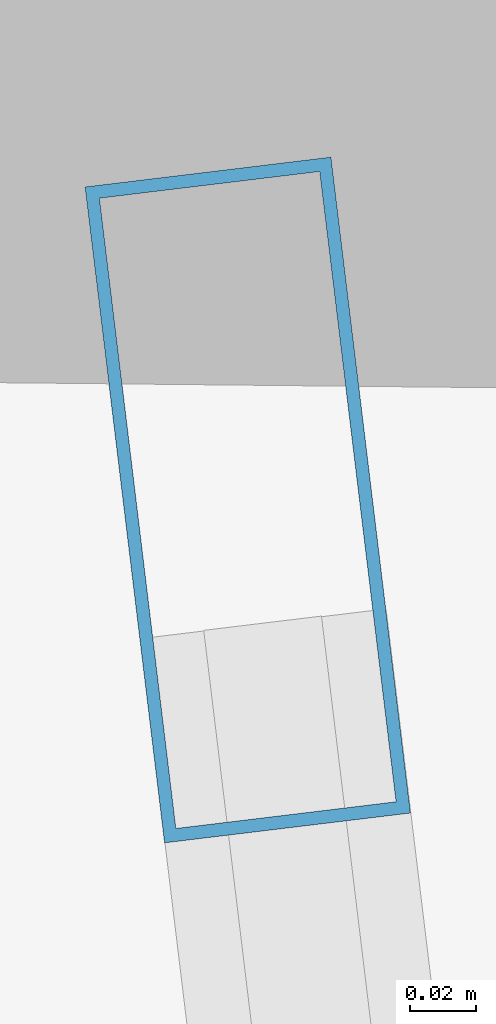
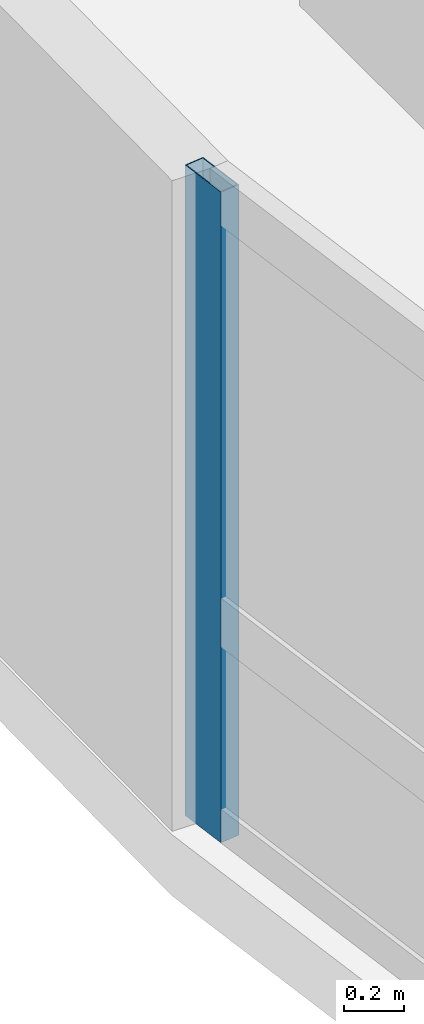
# One storey, part 8 of 22: 1 member, 1 element without a shape of its own.
"""IFC4 building model written with IfcOpenShell, lengths in metres."""

from ifc_helpers import new_model, si_unit, direction, frame, origin, origin_2d, place, context, subcontext, project, spatial, hollow_rectangle, extrude, material, layer, layer_set, material_profile, profile_set, type_object, element, aggregate, save


model = new_model("IFC4")

# Units and contexts
model_context = context("Model", 3, precision=1e-05, world=origin(), true_north=direction((0.0, 1.0)))
body_context = subcontext(model_context, "Body", "Model", "MODEL_VIEW")
ifc_project = project(units=[si_unit("LENGTHUNIT", "METRE"), si_unit("AREAUNIT", "SQUARE_METRE"), si_unit("VOLUMEUNIT", "CUBIC_METRE"), si_unit("PLANEANGLEUNIT", "RADIAN"), si_unit("MASSUNIT", "GRAM", prefix="KILO")], contexts=[model_context])

# Site, building, storey
site_placement = place(None, origin())
site = spatial("IfcSite", under=ifc_project, at=site_placement, CompositionType="ELEMENT")
building_placement = place(site_placement, origin())
building = spatial("IfcBuilding", under=site, at=building_placement, Name="Varnelok Gate Tower", CompositionType="ELEMENT")
storey_placement = place(building_placement, frame((0.0, 0.0, 204.199951171875)))
storey = spatial("IfcBuildingStorey", under=building, at=storey_placement, Name="L52", CompositionType="ELEMENT", Elevation=204.199951171875)

# Curtain wall, member
ifc_material = material(Name="Anodized Aluminum Alloy 6063-T6", Category="aluminium")
ifc_layer = layer(ifc_material, 0.179931640625)
ifc_layer_set = layer_set([ifc_layer], Name="Anodized Aluminum Alloy 6063-T6")
curtain_wall_type = type_object("IfcCurtainWallType", Name="CW4-RESIDENCE-VISION", PredefinedType="USERDEFINED", material=ifc_layer_set)
curtain_wall_placement = place(storey_placement, origin())
curtain_wall = element("IfcCurtainWall", 1, at=curtain_wall_placement, inside=storey, type_object=curtain_wall_type, Name="L52 West End Vision Curtain Wall", ObjectType="UNITISED CURTAIN WALL", PredefinedType="USERDEFINED")
ifc_material_profile = material_profile(ifc_material, hollow_rectangle(XDim=0.074951171875, YDim=0.199951171875, WallThickness=0.00390625, at=origin_2d()), Name="ALU200X75X4")
ifc_profile_set = profile_set([ifc_material_profile], Name="Anodized Aluminum Alloy 6063-T6")
member_type = type_object("IfcMemberType", Name="CW-MULL-200", PredefinedType="MULLION", material=ifc_profile_set)
member_placement = place(storey_placement, frame((2.290283203125, 37.610107421875, 0.0), z_axis=(0.0, 0.0, 1.0), x_axis=(-0.992732188751, -0.120344511371, 0.0)))
member = element("IfcMember", 2, at=member_placement, type_object=member_type, Name="CW4 mullion 6", PredefinedType="MULLION", context=body_context, shape_type="SweptSolid", body=[
    extrude(hollow_rectangle(XDim=0.074951171875, YDim=0.199951171875, WallThickness=0.00390625, at=origin_2d()), origin(), (0.0, 0.0, 1.0), 2.66015625),
])
aggregate(curtain_wall, [member])

save(model, "model.ifc")
